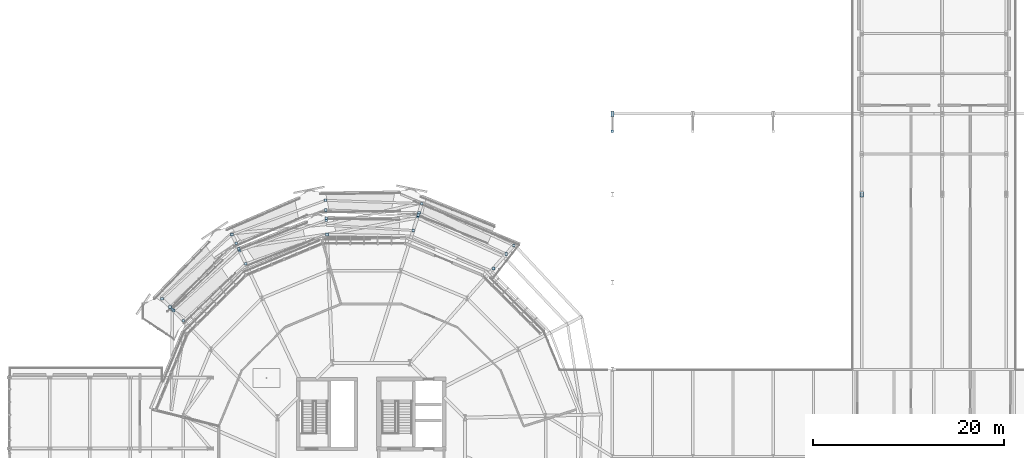
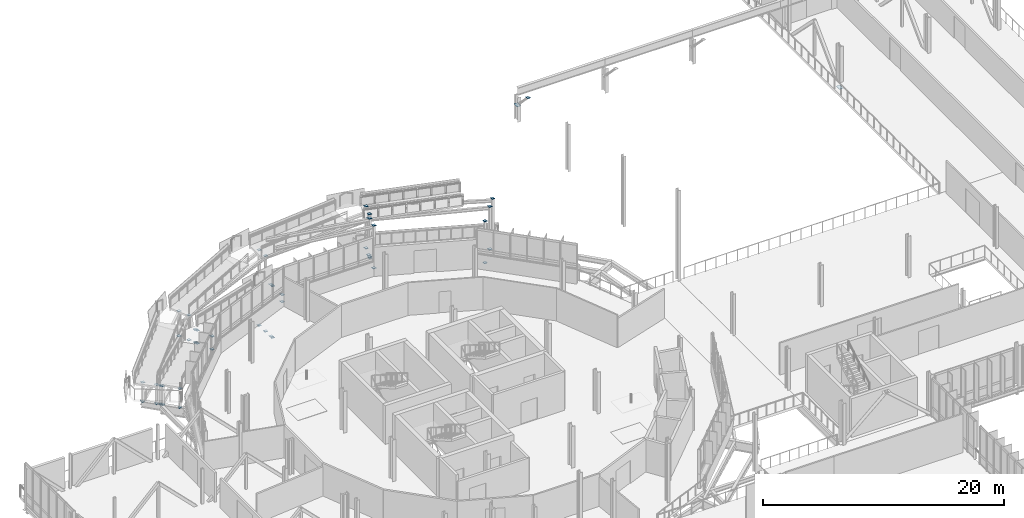
# One storey, part 83 of 107: 48 plates.
"""IFC4 building model written with IfcOpenShell, lengths in metres."""

from ifc_helpers import new_model, si_unit, derived_unit, direction, frame, origin, origin_2d, place, context, subcontext, project, spatial, rectangle, extrude, material, layer, layer_set, type_object, element, save


model = new_model("IFC4")

# Units and contexts
model_context = context("Model", 3, precision=1e-05, world=origin(), true_north=direction((0.0, 1.0)))
body_context = subcontext(model_context, "Body", "Model", "MODEL_VIEW")
ifc_project = project(units=[si_unit("LENGTHUNIT", "METRE"), si_unit("AREAUNIT", "SQUARE_METRE"), si_unit("VOLUMEUNIT", "CUBIC_METRE"), si_unit("PLANEANGLEUNIT", "RADIAN"), si_unit("MASSUNIT", "GRAM", prefix="KILO"), derived_unit("THERMALTRANSMITTANCEUNIT", [(si_unit("MASSUNIT", "GRAM", prefix="KILO"), 1), (si_unit("TIMEUNIT", "SECOND"), -3), (si_unit("THERMODYNAMICTEMPERATUREUNIT", "KELVIN"), -1)])], contexts=[model_context])

# Site, building, storey
site_placement = place(None, origin())
site = spatial("IfcSite", under=ifc_project, at=site_placement, CompositionType="ELEMENT")
building_placement = place(site_placement, origin())
building = spatial("IfcBuilding", under=site, at=building_placement, Name="Makaiwela Harbour Ferry Terminal", CompositionType="ELEMENT")
storey_placement = place(building_placement, frame((0.0, 0.0, 9.60009765625)))
storey = spatial("IfcBuildingStorey", under=building, at=storey_placement, Name="L02", CompositionType="ELEMENT", Elevation=9.60009765625)

# Plates
ifc_material = material(Name="Steel ASTM A572 Grade 50", Category="steel")
ifc_layer_1 = layer(ifc_material, 0.02001953125)
ifc_layer_set_1 = layer_set([ifc_layer_1], Name="Steel ASTM A572 Grade 50")
plate_type_1 = type_object("IfcPlateType", Name="STR-PLT-CAP1", PredefinedType="SHEET", material=ifc_layer_set_1)
for number, where, z_axis, x_axis, name in (
    (1, (63.0, 101.60009765625, 3.39111328125), (0.0, 0.0, 1.0), (1.0, 0.0, 0.0), "Welded End Cap EC-0001"),
    (2, (15.933837890625, 84.09716796875, -0.297119140625), (0.0, 0.0, 1.0), (1.0, 0.0, 0.0), "Post Sealing Cap Plate PC-0061"),
    (3, (15.933837890625, 84.09716796875, 1.626953125), (0.0, 0.0, 1.0), (1.0, 0.0, 0.0), "Post Sealing Cap Plate PC-0062"),
    (4, (16.771728515625, 83.23388671875, -0.297119140625), (0.0, 0.0, 1.0), (1.0, 0.0, 0.0), "Post Sealing Cap Plate PC-0075"),
    (5, (16.771728515625, 83.23388671875, 1.621826171875), (0.0, 0.0, 1.0), (1.0, 0.0, 0.0), "Post Sealing Cap Plate PC-0076"),
    (6, (17.010498046875, 82.987548828125, -0.297119140625), (0.0, 0.0, 1.0), (1.0, 0.0, 0.0), "Post Sealing Cap Plate PC-0077"),
    (7, (17.010498046875, 82.987548828125, 1.621826171875), (0.0, 0.0, 1.0), (1.0, 0.0, 0.0), "Post Sealing Cap Plate PC-0078"),
    (8, (17.139404296875, 82.85498046875, -0.297119140625), (0.0, 0.0, 1.0), (1.0, 0.0, 0.0), "Post Sealing Cap Plate PC-0079"),
    (9, (17.139404296875, 82.85498046875, 1.618896484375), (0.0, 0.0, 1.0), (1.0, 0.0, 0.0), "Post Sealing Cap Plate PC-0080"),
    (10, (18.175048828125, 81.787841796875, -0.297119140625), (0.0, 0.0, 1.0), (1.0, 0.0, 0.0), "Post Sealing Cap Plate PC-0089"),
    (11, (18.175048828125, 81.787841796875, 1.621826171875), (0.0, 0.0, 1.0), (1.0, 0.0, 0.0), "Post Sealing Cap Plate PC-0090"),
    (12, (23.26513671875, 90.805908203125, -0.297119140625), (0.0, 0.0, 1.0), (1.0, 0.0, 0.0), "Post Sealing Cap Plate PC-0107"),
    (13, (23.26513671875, 90.805908203125, 2.226806640625), (0.0, 0.0, 1.0), (1.0, 0.0, 0.0), "Post Sealing Cap Plate PC-0108"),
    (14, (23.69921875, 89.87744140625, -0.297119140625), (0.0, 0.0, 1.0), (1.0, 0.0, 0.0), "Post Sealing Cap Plate PC-0115"),
    (15, (23.69921875, 89.87744140625, 2.221923828125), (0.0, 0.0, 1.0), (1.0, 0.0, 0.0), "Post Sealing Cap Plate PC-0116"),
    (16, (23.974853515625, 89.28759765625, -0.297119140625), (0.0, 0.0, 1.0), (1.0, 0.0, 0.0), "Post Sealing Cap Plate PC-0121"),
    (17, (23.974853515625, 89.28759765625, 1.02685546875), (0.0, 0.0, 1.0), (1.0, 0.0, 0.0), "Post Sealing Cap Plate PC-0122"),
    (18, (24.05859375, 89.108154296875, -0.297119140625), (0.0, 0.0, 1.0), (1.0, 0.0, 0.0), "Post Sealing Cap Plate PC-0123"),
    (19, (24.05859375, 89.108154296875, 1.018798828125), (0.0, 0.0, 1.0), (1.0, 0.0, 0.0), "Post Sealing Cap Plate PC-0124"),
    (20, (24.6953125, 87.74658203125, -0.297119140625), (0.0, 0.0, 1.0), (1.0, 0.0, 0.0), "Post Sealing Cap Plate PC-0131"),
    (21, (24.6953125, 87.74658203125, 1.02197265625), (0.0, 0.0, 1.0), (1.0, 0.0, 0.0), "Post Sealing Cap Plate PC-0132"),
    (22, (33.065673828125, 93.37158203125, -4.817138671875), (0.0, 0.0, 1.0), (1.0, 0.0, 0.0), "Post Sealing Cap Plate PC-0149"),
    (23, (33.065673828125, 93.37158203125, 2.82177734375), (0.0, 0.0, 1.0), (1.0, 0.0, 0.0), "Post Sealing Cap Plate PC-0150"),
    (24, (33.023193359375, 94.37255859375, -4.817138671875), (0.0, 0.0, 1.0), (1.0, 0.0, 0.0), "Post Sealing Cap Plate PC-0157"),
    (25, (33.023193359375, 94.37255859375, 2.826904296875), (0.0, 0.0, 1.0), (1.0, 0.0, 0.0), "Post Sealing Cap Plate PC-0158"),
    (26, (33.1748046875, 90.798828125, -0.297119140625), (0.0, 0.0, 1.0), (1.0, 0.0, 0.0), "Post Sealing Cap Plate PC-0165"),
    (27, (33.1748046875, 90.798828125, 0.421875), (0.0, 0.0, 1.0), (1.0, 0.0, 0.0), "Post Sealing Cap Plate PC-0166"),
    (28, (33.111083984375, 92.299560546875, -4.817138671875), (0.0, 0.0, 1.0), (1.0, 0.0, 0.0), "Post Sealing Cap Plate PC-0175"),
    (29, (33.111083984375, 92.299560546875, 0.4189453125), (0.0, 0.0, 1.0), (1.0, 0.0, 0.0), "Post Sealing Cap Plate PC-0176"),
    (30, (33.102783203125, 92.497314453125, -4.817138671875), (0.0, 0.0, 1.0), (1.0, 0.0, 0.0), "Post Sealing Cap Plate PC-0177"),
    (31, (33.102783203125, 92.497314453125, 0.427001953125), (0.0, 0.0, 1.0), (1.0, 0.0, 0.0), "Post Sealing Cap Plate PC-0178"),
    (32, (42.19921875, 91.22314453125, -0.297119140625), (0.0, 0.0, 1.0), (1.0, 0.0, 0.0), "Post Sealing Cap Plate PC-0196"),
    (33, (42.19921875, 91.22314453125, 4.02197265625), (0.0, 0.0, 1.0), (1.0, 0.0, 0.0), "Post Sealing Cap Plate PC-0197"),
    (34, (42.656982421875, 92.662109375, -0.297119140625), (0.0, 0.0, 1.0), (1.0, 0.0, 0.0), "Post Sealing Cap Plate PC-0208"),
    (35, (42.656982421875, 92.662109375, 3.708984375), (0.0, 0.0, 1.0), (1.0, 0.0, 0.0), "Post Sealing Cap Plate PC-0209"),
    (36, (42.71435546875, 92.84228515625, -0.297119140625), (0.0, 0.0, 1.0), (1.0, 0.0, 0.0), "Post Sealing Cap Plate PC-0210"),
    (37, (42.71435546875, 92.84228515625, 4.02197265625), (0.0, 0.0, 1.0), (1.0, 0.0, 0.0), "Post Sealing Cap Plate PC-0211"),
    (38, (42.78662109375, 93.06982421875, -0.297119140625), (0.0, 0.0, 1.0), (1.0, 0.0, 0.0), "Post Sealing Cap Plate PC-0212"),
    (39, (42.78662109375, 93.06982421875, 3.421875), (0.0, 0.0, 1.0), (1.0, 0.0, 0.0), "Post Sealing Cap Plate PC-0213"),
    (40, (43.09326171875, 94.033447265625, -0.297119140625), (0.0, 0.0, 1.0), (1.0, 0.0, 0.0), "Post Sealing Cap Plate PC-0218"),
    (41, (43.09326171875, 94.033447265625, 3.94677734375), (0.0, 0.0, 1.0), (1.0, 0.0, 0.0), "Post Sealing Cap Plate PC-0219"),
    (42, (50.5712890625, 87.25927734375, -0.297119140625), (0.0, 0.0, 1.0), (1.0, 0.0, 0.0), "Post Sealing Cap Plate PC-0230"),
    (43, (50.5712890625, 87.25927734375, 3.94677734375), (0.0, 0.0, 1.0), (1.0, 0.0, 0.0), "Post Sealing Cap Plate PC-0231"),
    (44, (51.9033203125, 88.76708984375, -0.297119140625), (0.0, 0.0, 1.0), (1.0, 0.0, 0.0), "Post Sealing Cap Plate PC-0238"),
    (45, (51.9033203125, 88.76708984375, 4.02197265625), (0.0, 0.0, 1.0), (1.0, 0.0, 0.0), "Post Sealing Cap Plate PC-0239"),
    (46, (52.6884765625, 89.656005859375, 4.02197265625), (0.0, 0.0, 1.0), (1.0, 0.0, 0.0), "Post Sealing Cap Plate PC-0242"),
):
    element("IfcPlate", number, at=place(storey_placement, frame(where, z_axis=z_axis, x_axis=x_axis)), inside=storey, type_object=plate_type_1, Name=name, PredefinedType="SHEET", context=body_context, shape_type="SweptSolid", body=[
        extrude(rectangle(XDim=0.280029296875, YDim=0.280029296875, at=origin_2d()), origin(), (0.0, 0.0, 1.0), 0.02001953125),
    ])
ifc_layer_2 = layer(ifc_material, 0.02392578125)
ifc_layer_set_2 = layer_set([ifc_layer_2], Name="Steel ASTM A572 Grade 50")
plate_type_2 = type_object("IfcPlateType", Name="STR-PLT-GUS1", PredefinedType="USERDEFINED", material=ifc_layer_set_2)
plate_1_placement = place(storey_placement, frame((89.050048828125, 95.0, -0.697509765625), z_axis=(0.0, 0.0, 1.0), x_axis=(0.0, 1.0, 0.0)))
element("IfcPlate", 47, at=plate_1_placement, inside=storey, type_object=plate_type_2, Name="Truss Gusset Plate GP-002", ObjectType="GUSSET PLATE", PredefinedType="USERDEFINED", context=body_context, shape_type="SweptSolid", body=[
    extrude(rectangle(XDim=0.56005859375, YDim=0.360107421875, at=origin_2d()), origin(), (0.0, 0.0, 1.0), 0.02392578125),
])
ifc_layer_3 = layer(ifc_material, 0.02197265625)
ifc_layer_set_3 = layer_set([ifc_layer_3], Name="Steel ASTM A572 Grade 50")
plate_type_3 = type_object("IfcPlateType", Name="STR-PLT-GUS4", PredefinedType="USERDEFINED", material=ifc_layer_set_3)
plate_2_placement = place(storey_placement, frame((63.0, 103.39990234375, 1.538818359375), z_axis=(0.0, 0.0, 1.0), x_axis=(0.0, 1.0, 0.0)))
element("IfcPlate", 48, at=plate_2_placement, inside=storey, type_object=plate_type_3, Name="Truss Gusset Plate GP-161", ObjectType="GUSSET PLATE", PredefinedType="USERDEFINED", context=body_context, shape_type="SweptSolid", body=[
    extrude(rectangle(XDim=0.52001953125, YDim=0.340087890625, at=origin_2d()), origin(), (0.0, 0.0, 1.0), 0.02197265625),
])

save(model, "model.ifc")
